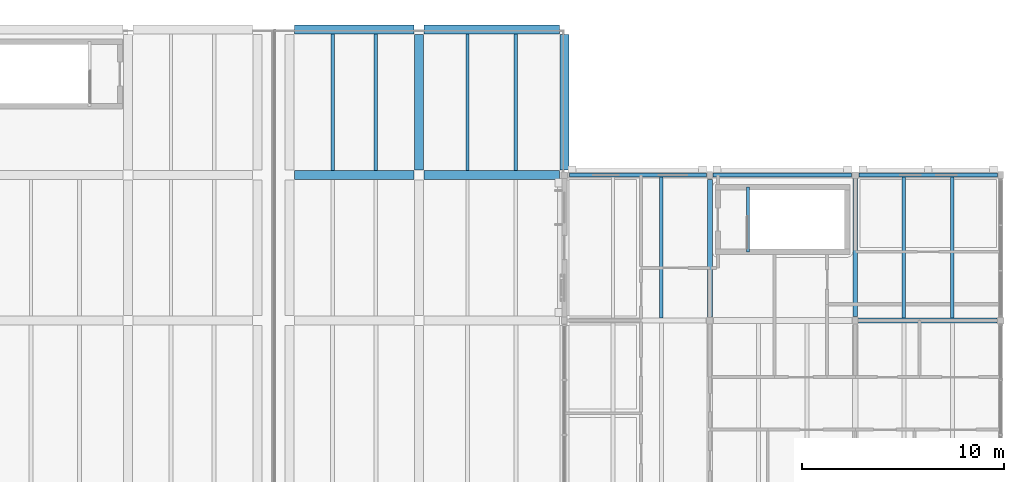
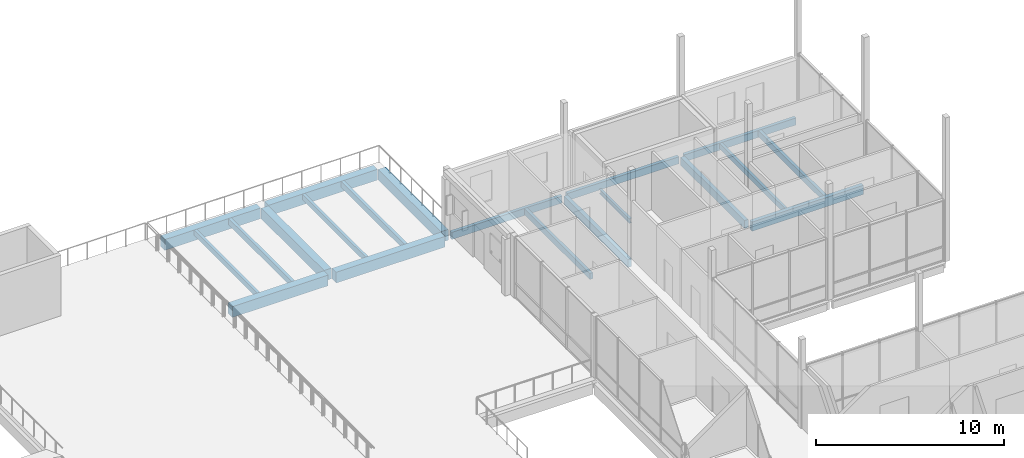
# One storey, part 64 of 115: 20 beams.
"""IFC4 building model written with IfcOpenShell, lengths in metres."""

from ifc_helpers import new_model, si_unit, direction, frame, origin, origin_2d, place, context, subcontext, project, spatial, rectangle, i_section, extrude, material, material_profile, profile_set, type_object, element, save


model = new_model("IFC4")

# Units and contexts
model_context = context("Model", 3, precision=1e-05, world=origin(), true_north=direction((0.0, 1.0)))
body_context = subcontext(model_context, "Body", "Model", "MODEL_VIEW")
ifc_project = project(units=[si_unit("LENGTHUNIT", "METRE"), si_unit("AREAUNIT", "SQUARE_METRE"), si_unit("VOLUMEUNIT", "CUBIC_METRE"), si_unit("PLANEANGLEUNIT", "RADIAN"), si_unit("MASSUNIT", "GRAM", prefix="KILO")], contexts=[model_context])

# Site, building, storey
site_placement = place(None, origin())
site = spatial("IfcSite", under=ifc_project, at=site_placement, CompositionType="ELEMENT")
building_placement = place(site_placement, origin())
building = spatial("IfcBuilding", under=site, at=building_placement, Name="Hawrajan Terrace Health Centre", CompositionType="ELEMENT")
storey_placement = place(building_placement, frame((0.0, 0.0, 9.0)))
storey = spatial("IfcBuildingStorey", under=building, at=storey_placement, Name="L02", CompositionType="ELEMENT", Elevation=9.0)

# Beams
ifc_material_1 = material(Name="Glulam GL32h", Category="wood")
ifc_material_profile_1 = material_profile(ifc_material_1, rectangle(XDim=0.239990234375, YDim=0.52001953125, at=origin_2d()), Name="GL BM 240x520")
ifc_profile_set_1 = profile_set([ifc_material_profile_1], Name="Glulam GL32h")
beam_type_1 = type_object("IfcBeamType", Name="GlulamGirder_240x520", PredefinedType="BEAM", material=ifc_profile_set_1)
for number, where, z_axis, x_axis, name in (
    (1, (151.0, 45.580078125, -0.5), (0.0, 1.0, 0.0), (-1.0, 0.0, 0.0), "Beam BM-Y-L02-E-X20-6"),
    (2, (158.199951171875, 45.610107421875, -0.5), (0.0, 1.0, 0.0), (-1.0, 0.0, 0.0), "Beam BM-Y-L02-E-X21-6"),
):
    element("IfcBeam", number, at=place(storey_placement, frame(where, z_axis=z_axis, x_axis=x_axis)), inside=storey, type_object=beam_type_1, Name=name, PredefinedType="BEAM", context=body_context, shape_type="SweptSolid", body=[
        extrude(rectangle(XDim=0.239990234375, YDim=0.52001953125, at=origin_2d()), origin(), (0.0, 0.0, 1.0), 6.809814453125),
    ])
ifc_material_profile_2 = material_profile(ifc_material_1, rectangle(XDim=0.239990234375, YDim=0.60009765625, at=origin_2d()), Name="GL BM 240x600")
ifc_profile_set_2 = profile_set([ifc_material_profile_2], Name="Glulam GL32h")
beam_type_2 = type_object("IfcBeamType", Name="GlulamGirder_240x600", PredefinedType="BEAM", material=ifc_profile_set_2)
beam_1_placement = place(storey_placement, frame((158.360107421875, 45.39990234375, -0.5400390625), z_axis=(1.0, 0.0, 0.0), x_axis=(0.0, 1.0, 0.0)))
element("IfcBeam", 3, at=beam_1_placement, inside=storey, type_object=beam_type_2, Name="Beam BM-X-L02-E-21-Y6", PredefinedType="BEAM", context=body_context, shape_type="SweptSolid", body=[
    extrude(rectangle(XDim=0.239990234375, YDim=0.60009765625, at=origin_2d()), origin(), (0.0, 0.0, 1.0), 6.85986328125),
])
ifc_material_2 = material(Name="Glulam GL28h", Category="wood")
ifc_material_profile_3 = material_profile(ifc_material_2, rectangle(XDim=0.159912109375, YDim=0.360107421875, at=origin_2d()), Name="GL JST 160x360")
ifc_profile_set_3 = profile_set([ifc_material_profile_3], Name="Glulam GL28h")
beam_type_3 = type_object("IfcBeamType", Name="GlulamJoist_160x360", PredefinedType="JOIST", material=ifc_profile_set_3)
for number, where, z_axis, x_axis, name in (
    (4, (132.333251953125, 52.824951171875, -0.4599609375), (0.0, 1.0, 0.0), (-1.0, 0.0, 0.0), "Secondary joist JST-L02-E-17-7-1"),
    (5, (139.0, 52.824951171875, -0.4599609375), (0.0, 1.0, 0.0), (-1.0, 0.0, 0.0), "Secondary joist JST-L02-E-18-7-1"),
):
    element("IfcBeam", number, at=place(storey_placement, frame(where, z_axis=z_axis, x_axis=x_axis)), inside=storey, type_object=beam_type_3, Name=name, PredefinedType="JOIST", context=body_context, shape_type="SweptSolid", body=[
        extrude(rectangle(XDim=0.159912109375, YDim=0.360107421875, at=origin_2d()), origin(), (0.0, 0.0, 1.0), 6.75),
    ])
beam_2_placement = place(storey_placement, frame((160.60009765625, 45.52001953125, -0.419921875), z_axis=(0.0, 1.0, 0.0), x_axis=(-1.0, 0.0, 0.0)))
element("IfcBeam", 6, at=beam_2_placement, inside=storey, type_object=beam_type_3, Name="Secondary joist JST-L02-E-21-6-1", PredefinedType="JOIST", context=body_context, shape_type="SweptSolid", body=[
    extrude(rectangle(XDim=0.159912109375, YDim=0.360107421875, at=origin_2d()), origin(), (0.0, 0.0, 1.0), 6.97998046875),
])
ifc_material_profile_4 = material_profile(ifc_material_2, rectangle(XDim=0.179931640625, YDim=0.39990234375, at=origin_2d()), Name="GL JST 180x400")
ifc_profile_set_4 = profile_set([ifc_material_profile_4], Name="Glulam GL28h")
beam_type_4 = type_object("IfcBeamType", Name="GlulamJoist_180x400", PredefinedType="JOIST", material=ifc_profile_set_4)
for number, where, z_axis, x_axis, name in (
    (7, (134.466796875, 52.824951171875, -0.47998046875), (0.0, 1.0, 0.0), (-1.0, 0.0, 0.0), "Secondary joist JST-L02-E-17-7-2"),
    (8, (141.39990234375, 52.824951171875, -0.47998046875), (0.0, 1.0, 0.0), (-1.0, 0.0, 0.0), "Secondary joist JST-L02-E-18-7-2"),
):
    element("IfcBeam", number, at=place(storey_placement, frame(where, z_axis=z_axis, x_axis=x_axis)), inside=storey, type_object=beam_type_4, Name=name, PredefinedType="JOIST", context=body_context, shape_type="SweptSolid", body=[
        extrude(rectangle(XDim=0.179931640625, YDim=0.39990234375, at=origin_2d()), origin(), (0.0, 0.0, 1.0), 6.75),
    ])
for number, where, z_axis, x_axis, name in (
    (9, (148.60009765625, 45.52001953125, -0.47998046875), (0.0, 1.0, 0.0), (-1.0, 0.0, 0.0), "Secondary joist JST-L02-E-19-6-2"),
    (10, (163.0, 45.52001953125, -0.43994140625), (0.0, 1.0, 0.0), (-1.0, 0.0, 0.0), "Secondary joist JST-L02-E-21-6-2"),
):
    element("IfcBeam", number, at=place(storey_placement, frame(where, z_axis=z_axis, x_axis=x_axis)), inside=storey, type_object=beam_type_4, Name=name, PredefinedType="JOIST", context=body_context, shape_type="SweptSolid", body=[
        extrude(rectangle(XDim=0.179931640625, YDim=0.39990234375, at=origin_2d()), origin(), (0.0, 0.0, 1.0), 6.97998046875),
    ])
ifc_material_profile_5 = material_profile(ifc_material_1, rectangle(XDim=0.199951171875, YDim=0.4599609375, at=origin_2d()), Name="GL SP 200x460")
ifc_profile_set_5 = profile_set([ifc_material_profile_5], Name="Glulam GL32h")
beam_type_5 = type_object("IfcBeamType", Name="GlulamSpandrel_200x460", PredefinedType="SPANDREL", material=ifc_profile_set_5)
beam_3_placement = place(storey_placement, frame((144.050048828125, 52.60009765625, -0.510009765625), z_axis=(1.0, 0.0, 0.0), x_axis=(0.0, 1.0, 0.0)))
element("IfcBeam", 11, at=beam_3_placement, inside=storey, type_object=beam_type_5, Name="Beam BM-X-L02-E-19-Y7", PredefinedType="SPANDREL", context=body_context, shape_type="SweptSolid", body=[
    extrude(rectangle(XDim=0.199951171875, YDim=0.4599609375, at=origin_2d()), origin(), (0.0, 0.0, 1.0), 6.7900390625),
])
for number, where, z_axis, x_axis, name in (
    (12, (151.159912109375, 52.60009765625, -0.469970703125), (1.0, 0.0, 0.0), (0.0, 1.0, 0.0), "Beam BM-X-L02-E-20-Y7"),
    (13, (158.3798828125, 52.60009765625, -0.469970703125), (1.0, 0.0, 0.0), (0.0, 1.0, 0.0), "Beam BM-X-L02-E-21-Y7"),
):
    element("IfcBeam", number, at=place(storey_placement, frame(where, z_axis=z_axis, x_axis=x_axis)), inside=storey, type_object=beam_type_5, Name=name, PredefinedType="SPANDREL", context=body_context, shape_type="SweptSolid", body=[
        extrude(rectangle(XDim=0.199951171875, YDim=0.4599609375, at=origin_2d()), origin(), (0.0, 0.0, 1.0), 6.860107421875),
    ])
ifc_material_3 = material(Name="Concrete C40/50", Category="concrete")
ifc_material_profile_6 = material_profile(ifc_material_3, rectangle(XDim=0.449951171875, YDim=0.699951171875, at=origin_2d()), Name="RC BM 450x700")
ifc_profile_set_6 = profile_set([ifc_material_profile_6], Name="Concrete C40/50")
beam_type_6 = type_object("IfcBeamType", Name="RCGirder_450x700", PredefinedType="BEAM", material=ifc_profile_set_6)
for number, where, z_axis, x_axis, name in (
    (14, (130.449951171875, 52.60009765625, -0.6298828125), (1.0, 0.0, 0.0), (0.0, 1.0, 0.0), "Beam BM-X-L02-E-17-Y7"),
    (15, (130.449951171875, 59.800048828125, -0.6298828125), (1.0, 0.0, 0.0), (0.0, 1.0, 0.0), "Beam BM-X-L02-E-17-Y8"),
):
    element("IfcBeam", number, at=place(storey_placement, frame(where, z_axis=z_axis, x_axis=x_axis)), inside=storey, type_object=beam_type_6, Name=name, PredefinedType="BEAM", context=body_context, shape_type="SweptSolid", body=[
        extrude(rectangle(XDim=0.449951171875, YDim=0.699951171875, at=origin_2d()), origin(), (0.0, 0.0, 1.0), 5.900146484375),
    ])
for number, where, z_axis, x_axis, name in (
    (16, (136.85009765625, 52.60009765625, -0.6298828125), (1.0, 0.0, 0.0), (0.0, 1.0, 0.0), "Beam BM-X-L02-E-18-Y7"),
    (17, (136.85009765625, 59.800048828125, -0.6298828125), (1.0, 0.0, 0.0), (0.0, 1.0, 0.0), "Beam BM-X-L02-E-18-Y8"),
    (18, (136.60009765625, 52.85009765625, -0.6298828125), (0.0, 1.0, 0.0), (-1.0, 0.0, 0.0), "Beam BM-Y-L02-E-X18-7"),
    (19, (143.800048828125, 52.85009765625, -0.6298828125), (0.0, 1.0, 0.0), (-1.0, 0.0, 0.0), "Beam BM-Y-L02-E-X19-7"),
):
    element("IfcBeam", number, at=place(storey_placement, frame(where, z_axis=z_axis, x_axis=x_axis)), inside=storey, type_object=beam_type_6, Name=name, PredefinedType="BEAM", context=body_context, shape_type="SweptSolid", body=[
        extrude(rectangle(XDim=0.449951171875, YDim=0.699951171875, at=origin_2d()), origin(), (0.0, 0.0, 1.0), 6.699951171875),
    ])
ifc_material_4 = material(Name="Steel S355", Category="steel")
ifc_material_profile_7 = material_profile(ifc_material_4, i_section(OverallWidth=0.14990234375, OverallDepth=0.300048828125, WebThickness=0.007080078125, FlangeThickness=0.0107421875, FilletRadius=0.014892578125, at=origin_2d()), Name="IPE 300")
ifc_profile_set_7 = profile_set([ifc_material_profile_7], Name="Steel S355")
beam_type_7 = type_object("IfcBeamType", Name="SteelBeam_IPE300", PredefinedType="JOIST", material=ifc_profile_set_7)
beam_4_placement = place(storey_placement, frame((152.89990234375, 48.800048828125, -0.3701171875), z_axis=(0.0, 1.0, 0.0), x_axis=(-1.0, 0.0, 0.0)))
element("IfcBeam", 20, at=beam_4_placement, inside=storey, type_object=beam_type_7, Name="Stair top trimmer ST-9", PredefinedType="JOIST", context=body_context, shape_type="SweptSolid", body=[
    extrude(i_section(OverallWidth=0.14990234375, OverallDepth=0.300048828125, WebThickness=0.007080078125, FlangeThickness=0.0107421875, FilletRadius=0.014892578125, at=origin_2d()), origin(), (0.0, 0.0, 1.0), 3.199951171875),
])

save(model, "model.ifc")
